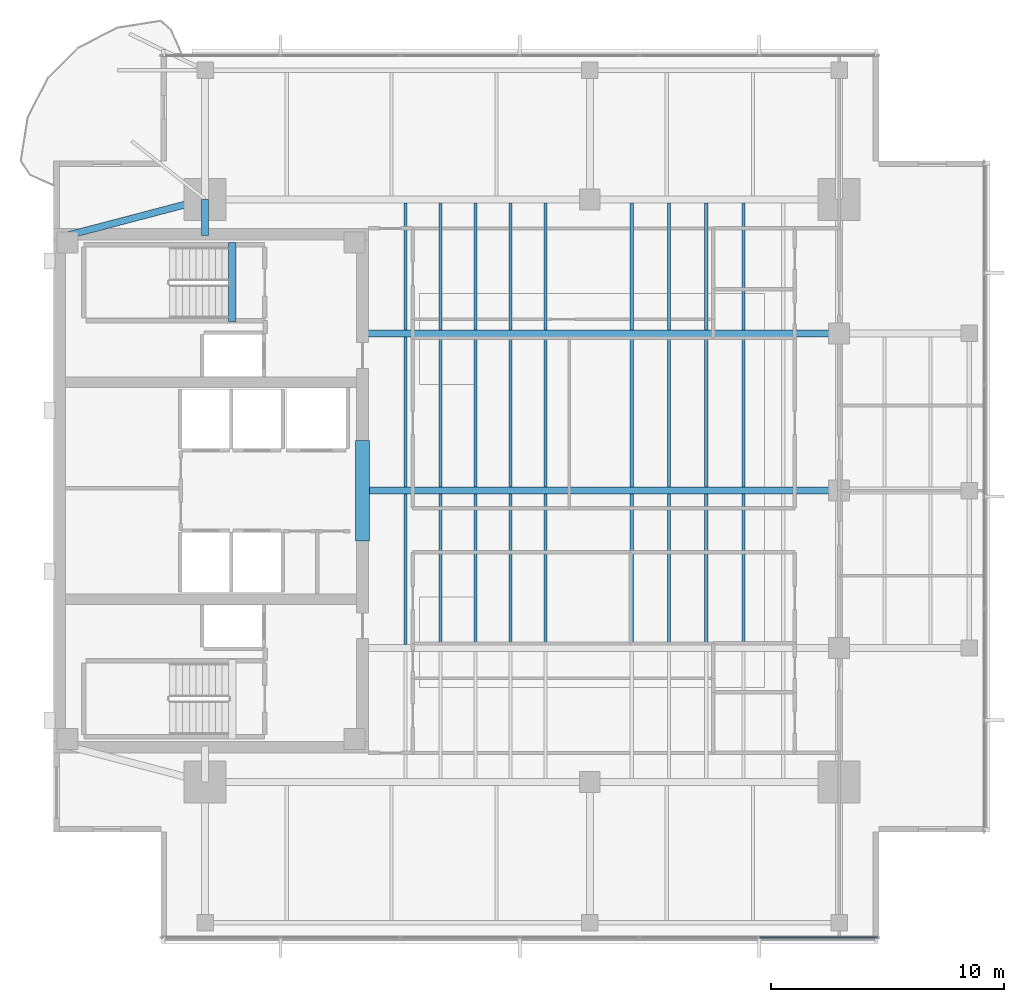
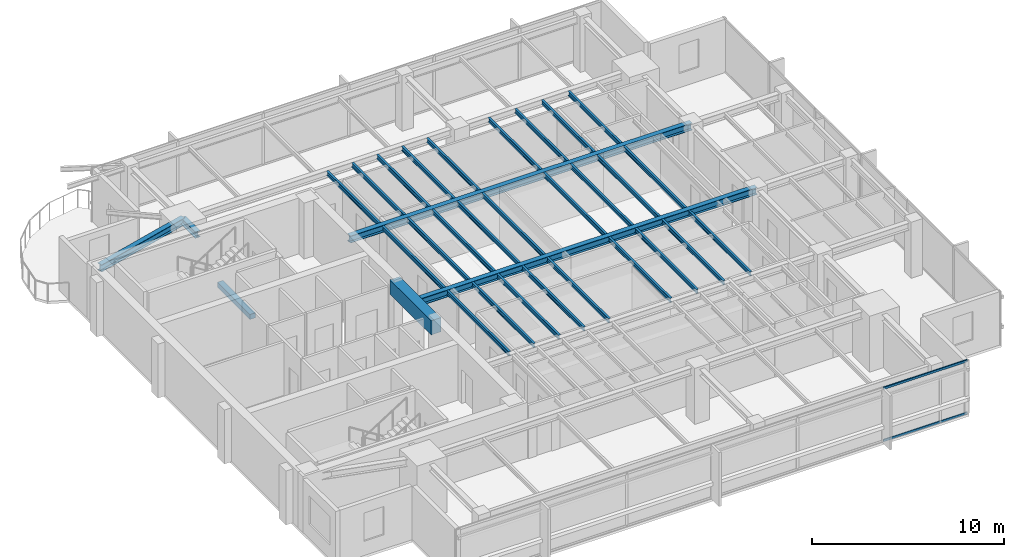
# One storey, part 3 of 14: 33 beams, 2 members, 1 element without a shape of its own.
"""IFC4 building model written with IfcOpenShell, lengths in metres."""

from ifc_helpers import new_model, si_unit, direction, frame, origin, origin_2d, place, context, subcontext, project, spatial, rectangle, i_section, extrude, material, layer, layer_set, material_profile, profile_set, type_object, element, aggregate, save


model = new_model("IFC4")

# Units and contexts
model_context = context("Model", 3, precision=1e-05, world=origin(), true_north=direction((0.0, 1.0)))
body_context = subcontext(model_context, "Body", "Model", "MODEL_VIEW")
ifc_project = project(units=[si_unit("LENGTHUNIT", "METRE"), si_unit("AREAUNIT", "SQUARE_METRE"), si_unit("VOLUMEUNIT", "CUBIC_METRE"), si_unit("PLANEANGLEUNIT", "RADIAN"), si_unit("MASSUNIT", "GRAM", prefix="KILO")], contexts=[model_context])

# Site, building, storey
site_placement = place(None, origin())
site = spatial("IfcSite", under=ifc_project, at=site_placement, CompositionType="ELEMENT")
building_placement = place(site_placement, origin())
building = spatial("IfcBuilding", under=site, at=building_placement, Name="Kinhvarn Gate Tower", CompositionType="ELEMENT")
storey_placement = place(building_placement, frame((0.0, 0.0, 249.25)))
storey = spatial("IfcBuildingStorey", under=building, at=storey_placement, Name="L66", CompositionType="ELEMENT", Elevation=249.25)

# Beams
ifc_material_1 = material(Name="Concrete C60/75", Category="concrete")
ifc_material_profile_1 = material_profile(ifc_material_1, rectangle(XDim=0.60009765625, YDim=0.89990234375, at=origin_2d()), Name="RC 600x900")
ifc_profile_set_1 = profile_set([ifc_material_profile_1], Name="Concrete C60/75")
beam_type_1 = type_object("IfcBeamType", Name="BM-CB-900", PredefinedType="LINTEL", material=ifc_profile_set_1)
beam_1_placement = place(storey_placement, frame((17.75, 23.10009765625, 2.93994140625), z_axis=(0.0, 1.0, 0.0), x_axis=(-1.0, 0.0, 0.0)))
element("IfcBeam", 1, at=beam_1_placement, inside=storey, type_object=beam_type_1, Name="Core East Portal Coupling Beam L66", PredefinedType="LINTEL", context=body_context, shape_type="SweptSolid", body=[
    extrude(rectangle(XDim=0.60009765625, YDim=0.89990234375, at=origin_2d()), origin(), (0.0, 0.0, 1.0), 4.2998046875),
])
ifc_material_2 = material(Name="Concrete C50/60", Category="concrete")
ifc_material_profile_2 = material_profile(ifc_material_2, rectangle(XDim=0.340087890625, YDim=0.320068359375, at=origin_2d()), Name="RC 340x320")
ifc_profile_set_2 = profile_set([ifc_material_profile_2], Name="Concrete C50/60")
beam_type_2 = type_object("IfcBeamType", Name="BM-LND-500", PredefinedType="BEAM", material=ifc_profile_set_2)
beam_2_placement = place(storey_placement, frame((12.1650390625, 32.5, -0.159912109375), z_axis=(0.0, 1.0, 0.0), x_axis=(-1.0, 0.0, 0.0)))
element("IfcBeam", 2, at=beam_2_placement, inside=storey, type_object=beam_type_2, Name="Stair ST2 Landing Nosing Beam (L66)", PredefinedType="BEAM", context=body_context, shape_type="SweptSolid", body=[
    extrude(rectangle(XDim=0.340087890625, YDim=0.320068359375, at=origin_2d()), origin(), (0.0, 0.0, 1.0), 3.39990234375),
])

# Curtain wall, members
ifc_material_3 = material(Name="Anodised aluminium AW-6063", Category="aluminium")
ifc_layer = layer(ifc_material_3, 0.179931640625)
ifc_layer_set = layer_set([ifc_layer], Name="Anodised aluminium AW-6063")
curtain_wall_type = type_object("IfcCurtainWallType", Name="CW-SYS-3", PredefinedType="NOTDEFINED", material=ifc_layer_set)
curtain_wall_placement = place(storey_placement, origin())
curtain_wall = element("IfcCurtainWall", 3, at=curtain_wall_placement, inside=storey, type_object=curtain_wall_type, Name="Curtain Wall CW3 (L66)", PredefinedType="NOTDEFINED")
ifc_material_profile_3 = material_profile(ifc_material_3, rectangle(XDim=0.070068359375, YDim=0.139892578125, at=origin_2d()), Name="ALU 70x140")
ifc_profile_set_3 = profile_set([ifc_material_profile_3], Name="Anodised aluminium AW-6063")
member_type = type_object("IfcMemberType", Name="CW-TRN-140", PredefinedType="USERDEFINED", material=ifc_profile_set_3)
member_1_placement = place(storey_placement, frame((34.799072265625, 6.090087890625, 0.034912109375), z_axis=(1.0, 0.0, 0.0), x_axis=(0.0, 1.0, 0.0)))
member_1 = element("IfcMember", 4, at=member_1_placement, type_object=member_type, Name="CW3 transom 6.1", ObjectType="TRANSOM", PredefinedType="USERDEFINED", context=body_context, shape_type="SweptSolid", body=[
    extrude(rectangle(XDim=0.070068359375, YDim=0.139892578125, at=origin_2d()), origin(), (0.0, 0.0, 1.0), 5.035888671875),
])
member_2_placement = place(storey_placement, frame((34.799072265625, 6.090087890625, 3.35498046875), z_axis=(1.0, 0.0, 0.0), x_axis=(0.0, 1.0, 0.0)))
member_2 = element("IfcMember", 5, at=member_2_placement, type_object=member_type, Name="CW3 transom 6.2", ObjectType="TRANSOM", PredefinedType="USERDEFINED", context=body_context, shape_type="SweptSolid", body=[
    extrude(rectangle(XDim=0.070068359375, YDim=0.139892578125, at=origin_2d()), origin(), (0.0, 0.0, 1.0), 5.035888671875),
])
aggregate(curtain_wall, [member_1, member_2])

# Beams
ifc_material_4 = material(Name="Steel S355", Category="steel")
ifc_material_profile_4 = material_profile(ifc_material_4, i_section(OverallWidth=0.300048828125, OverallDepth=0.39990234375, WebThickness=0.013427734375, FlangeThickness=0.02392578125, at=origin_2d()), Name="HEB 400")
ifc_profile_set_4 = profile_set([ifc_material_profile_4], Name="Steel S355")
beam_type_3 = type_object("IfcBeamType", Name="STL-HEB400", PredefinedType="BEAM", material=ifc_profile_set_4)
beam_3_placement = place(storey_placement, frame((11.0, 36.199951171875, 3.18994140625), z_axis=(0.0, 1.0, 0.0), x_axis=(-1.0, 0.0, 0.0)))
element("IfcBeam", 6, at=beam_3_placement, inside=storey, type_object=beam_type_3, Name="Floor Beam PG-12 (L66 MCW-CN)", PredefinedType="BEAM", context=body_context, shape_type="SweptSolid", body=[
    extrude(i_section(OverallWidth=0.300048828125, OverallDepth=0.39990234375, WebThickness=0.013427734375, FlangeThickness=0.02392578125, at=origin_2d()), origin(), (0.0, 0.0, 1.0), 1.550048828125),
])
ifc_material_profile_5 = material_profile(ifc_material_4, i_section(OverallWidth=0.300048828125, OverallDepth=0.449951171875, WebThickness=0.013916015625, FlangeThickness=0.02587890625, at=origin_2d()), Name="HEB 450")
ifc_profile_set_5 = profile_set([ifc_material_profile_5], Name="Steel S355")
beam_type_4 = type_object("IfcBeamType", Name="STL-HEB450", PredefinedType="BEAM", material=ifc_profile_set_5)
beam_4_placement = place(storey_placement, frame((5.10009765625, 36.199951171875, 3.1650390625), z_axis=(0.967177623957, 0.254101246979, 0.0), x_axis=(-0.254101246979, 0.967177623957, 0.0)))
element("IfcBeam", 7, at=beam_4_placement, inside=storey, type_object=beam_type_4, Name="Floor Beam PG-13 (L66 MG-NW-DIAG)", PredefinedType="BEAM", context=body_context, shape_type="SweptSolid", body=[
    extrude(i_section(OverallWidth=0.300048828125, OverallDepth=0.449951171875, WebThickness=0.013916015625, FlangeThickness=0.02587890625, at=origin_2d()), origin(), (0.0, 0.0, 1.0), 6.10009765625),
])
beam_5_placement = place(storey_placement, frame((18.050048828125, 25.25, 3.1650390625), z_axis=(1.0, 0.0, 0.0), x_axis=(0.0, 1.0, 0.0)))
element("IfcBeam", 8, at=beam_5_placement, inside=storey, type_object=beam_type_4, Name="Floor Beam PG-13 (L66 EW1-Y25)", PredefinedType="BEAM", context=body_context, shape_type="SweptSolid", body=[
    extrude(i_section(OverallWidth=0.300048828125, OverallDepth=0.449951171875, WebThickness=0.013916015625, FlangeThickness=0.02587890625, at=origin_2d()), origin(), (0.0, 0.0, 1.0), 20.14990234375),
])
beam_6_placement = place(storey_placement, frame((17.64990234375, 32.0, 3.1650390625), z_axis=(1.0, 0.0, 0.0), x_axis=(0.0, 1.0, 0.0)))
element("IfcBeam", 9, at=beam_6_placement, inside=storey, type_object=beam_type_4, Name="Floor Beam PG-13 (L66 EW1-Y32)", PredefinedType="BEAM", context=body_context, shape_type="SweptSolid", body=[
    extrude(i_section(OverallWidth=0.300048828125, OverallDepth=0.449951171875, WebThickness=0.013916015625, FlangeThickness=0.02587890625, at=origin_2d()), origin(), (0.0, 0.0, 1.0), 20.550048828125),
])
ifc_material_profile_6 = material_profile(ifc_material_4, i_section(OverallWidth=0.135009765625, OverallDepth=0.27001953125, WebThickness=0.006591796875, FlangeThickness=0.01025390625, at=origin_2d()), Name="IPE 270")
ifc_profile_set_6 = profile_set([ifc_material_profile_6], Name="Steel S355")
beam_type_5 = type_object("IfcBeamType", Name="STL-IPE270", PredefinedType="JOIST", material=ifc_profile_set_6)
for number, where, z_axis, x_axis, name in (
    (10, (19.60009765625, 18.64990234375, 3.2548828125), (0.0, 1.0, 0.0), (-1.0, 0.0, 0.0), "Floor Joist SB-01 (L66 JC-X196-1)"),
    (11, (19.60009765625, 25.39990234375, 3.2548828125), (0.0, 1.0, 0.0), (-1.0, 0.0, 0.0), "Floor Joist SB-01 (L66 JC-X196-2)"),
):
    element("IfcBeam", number, at=place(storey_placement, frame(where, z_axis=z_axis, x_axis=x_axis)), inside=storey, type_object=beam_type_5, Name=name, PredefinedType="JOIST", context=body_context, shape_type="SweptSolid", body=[
        extrude(i_section(OverallWidth=0.135009765625, OverallDepth=0.27001953125, WebThickness=0.006591796875, FlangeThickness=0.01025390625, at=origin_2d()), origin(), (0.0, 0.0, 1.0), 6.4501953125),
    ])
beam_7_placement = place(storey_placement, frame((19.60009765625, 32.14990234375, 3.2548828125), z_axis=(0.0, 1.0, 0.0), x_axis=(-1.0, 0.0, 0.0)))
element("IfcBeam", 12, at=beam_7_placement, inside=storey, type_object=beam_type_5, Name="Floor Joist SB-01 (L66 JC-X196-3)", PredefinedType="JOIST", context=body_context, shape_type="SweptSolid", body=[
    extrude(i_section(OverallWidth=0.135009765625, OverallDepth=0.27001953125, WebThickness=0.006591796875, FlangeThickness=0.01025390625, at=origin_2d()), origin(), (0.0, 0.0, 1.0), 5.4501953125),
])
for number, where, z_axis, x_axis, name in (
    (13, (21.10009765625, 18.64990234375, 3.2548828125), (0.0, 1.0, 0.0), (-1.0, 0.0, 0.0), "Floor Joist SB-01 (L66 JC-X211-1)"),
    (14, (21.10009765625, 25.39990234375, 3.2548828125), (0.0, 1.0, 0.0), (-1.0, 0.0, 0.0), "Floor Joist SB-01 (L66 JC-X211-2)"),
):
    element("IfcBeam", number, at=place(storey_placement, frame(where, z_axis=z_axis, x_axis=x_axis)), inside=storey, type_object=beam_type_5, Name=name, PredefinedType="JOIST", context=body_context, shape_type="SweptSolid", body=[
        extrude(i_section(OverallWidth=0.135009765625, OverallDepth=0.27001953125, WebThickness=0.006591796875, FlangeThickness=0.01025390625, at=origin_2d()), origin(), (0.0, 0.0, 1.0), 6.4501953125),
    ])
beam_8_placement = place(storey_placement, frame((21.10009765625, 32.14990234375, 3.2548828125), z_axis=(0.0, 1.0, 0.0), x_axis=(-1.0, 0.0, 0.0)))
element("IfcBeam", 15, at=beam_8_placement, inside=storey, type_object=beam_type_5, Name="Floor Joist SB-01 (L66 JC-X211-3)", PredefinedType="JOIST", context=body_context, shape_type="SweptSolid", body=[
    extrude(i_section(OverallWidth=0.135009765625, OverallDepth=0.27001953125, WebThickness=0.006591796875, FlangeThickness=0.01025390625, at=origin_2d()), origin(), (0.0, 0.0, 1.0), 5.4501953125),
])
for number, where, z_axis, x_axis, name in (
    (16, (22.60009765625, 18.64990234375, 3.2548828125), (0.0, 1.0, 0.0), (-1.0, 0.0, 0.0), "Floor Joist SB-01 (L66 JC-X226-1)"),
    (17, (22.60009765625, 25.39990234375, 3.2548828125), (0.0, 1.0, 0.0), (-1.0, 0.0, 0.0), "Floor Joist SB-01 (L66 JC-X226-2)"),
):
    element("IfcBeam", number, at=place(storey_placement, frame(where, z_axis=z_axis, x_axis=x_axis)), inside=storey, type_object=beam_type_5, Name=name, PredefinedType="JOIST", context=body_context, shape_type="SweptSolid", body=[
        extrude(i_section(OverallWidth=0.135009765625, OverallDepth=0.27001953125, WebThickness=0.006591796875, FlangeThickness=0.01025390625, at=origin_2d()), origin(), (0.0, 0.0, 1.0), 6.4501953125),
    ])
beam_9_placement = place(storey_placement, frame((22.60009765625, 32.14990234375, 3.2548828125), z_axis=(0.0, 1.0, 0.0), x_axis=(-1.0, 0.0, 0.0)))
element("IfcBeam", 18, at=beam_9_placement, inside=storey, type_object=beam_type_5, Name="Floor Joist SB-01 (L66 JC-X226-3)", PredefinedType="JOIST", context=body_context, shape_type="SweptSolid", body=[
    extrude(i_section(OverallWidth=0.135009765625, OverallDepth=0.27001953125, WebThickness=0.006591796875, FlangeThickness=0.01025390625, at=origin_2d()), origin(), (0.0, 0.0, 1.0), 5.4501953125),
])
for number, where, z_axis, x_axis, name in (
    (19, (24.10009765625, 18.64990234375, 3.2548828125), (0.0, 1.0, 0.0), (-1.0, 0.0, 0.0), "Floor Joist SB-01 (L66 JC-X241-1)"),
    (20, (24.10009765625, 25.39990234375, 3.2548828125), (0.0, 1.0, 0.0), (-1.0, 0.0, 0.0), "Floor Joist SB-01 (L66 JC-X241-2)"),
):
    element("IfcBeam", number, at=place(storey_placement, frame(where, z_axis=z_axis, x_axis=x_axis)), inside=storey, type_object=beam_type_5, Name=name, PredefinedType="JOIST", context=body_context, shape_type="SweptSolid", body=[
        extrude(i_section(OverallWidth=0.135009765625, OverallDepth=0.27001953125, WebThickness=0.006591796875, FlangeThickness=0.01025390625, at=origin_2d()), origin(), (0.0, 0.0, 1.0), 6.4501953125),
    ])
beam_10_placement = place(storey_placement, frame((24.10009765625, 32.14990234375, 3.2548828125), z_axis=(0.0, 1.0, 0.0), x_axis=(-1.0, 0.0, 0.0)))
element("IfcBeam", 21, at=beam_10_placement, inside=storey, type_object=beam_type_5, Name="Floor Joist SB-01 (L66 JC-X241-3)", PredefinedType="JOIST", context=body_context, shape_type="SweptSolid", body=[
    extrude(i_section(OverallWidth=0.135009765625, OverallDepth=0.27001953125, WebThickness=0.006591796875, FlangeThickness=0.01025390625, at=origin_2d()), origin(), (0.0, 0.0, 1.0), 5.4501953125),
])
for number, where, z_axis, x_axis, name in (
    (22, (25.60009765625, 18.64990234375, 3.2548828125), (0.0, 1.0, 0.0), (-1.0, 0.0, 0.0), "Floor Joist SB-01 (L66 JC-X256-1)"),
    (23, (25.60009765625, 25.39990234375, 3.2548828125), (0.0, 1.0, 0.0), (-1.0, 0.0, 0.0), "Floor Joist SB-01 (L66 JC-X256-2)"),
):
    element("IfcBeam", number, at=place(storey_placement, frame(where, z_axis=z_axis, x_axis=x_axis)), inside=storey, type_object=beam_type_5, Name=name, PredefinedType="JOIST", context=body_context, shape_type="SweptSolid", body=[
        extrude(i_section(OverallWidth=0.135009765625, OverallDepth=0.27001953125, WebThickness=0.006591796875, FlangeThickness=0.01025390625, at=origin_2d()), origin(), (0.0, 0.0, 1.0), 6.4501953125),
    ])
beam_11_placement = place(storey_placement, frame((25.60009765625, 32.14990234375, 3.2548828125), z_axis=(0.0, 1.0, 0.0), x_axis=(-1.0, 0.0, 0.0)))
element("IfcBeam", 24, at=beam_11_placement, inside=storey, type_object=beam_type_5, Name="Floor Joist SB-01 (L66 JC-X256-3)", PredefinedType="JOIST", context=body_context, shape_type="SweptSolid", body=[
    extrude(i_section(OverallWidth=0.135009765625, OverallDepth=0.27001953125, WebThickness=0.006591796875, FlangeThickness=0.01025390625, at=origin_2d()), origin(), (0.0, 0.0, 1.0), 5.4501953125),
])
for number, where, z_axis, x_axis, name in (
    (25, (29.300048828125, 18.64990234375, 3.2548828125), (0.0, 1.0, 0.0), (-1.0, 0.0, 0.0), "Floor Joist SB-01 (L66 JC-X293-1)"),
    (26, (29.300048828125, 25.39990234375, 3.2548828125), (0.0, 1.0, 0.0), (-1.0, 0.0, 0.0), "Floor Joist SB-01 (L66 JC-X293-2)"),
):
    element("IfcBeam", number, at=place(storey_placement, frame(where, z_axis=z_axis, x_axis=x_axis)), inside=storey, type_object=beam_type_5, Name=name, PredefinedType="JOIST", context=body_context, shape_type="SweptSolid", body=[
        extrude(i_section(OverallWidth=0.135009765625, OverallDepth=0.27001953125, WebThickness=0.006591796875, FlangeThickness=0.01025390625, at=origin_2d()), origin(), (0.0, 0.0, 1.0), 6.4501953125),
    ])
beam_12_placement = place(storey_placement, frame((29.300048828125, 32.14990234375, 3.2548828125), z_axis=(0.0, 1.0, 0.0), x_axis=(-1.0, 0.0, 0.0)))
element("IfcBeam", 27, at=beam_12_placement, inside=storey, type_object=beam_type_5, Name="Floor Joist SB-01 (L66 JC-X293-3)", PredefinedType="JOIST", context=body_context, shape_type="SweptSolid", body=[
    extrude(i_section(OverallWidth=0.135009765625, OverallDepth=0.27001953125, WebThickness=0.006591796875, FlangeThickness=0.01025390625, at=origin_2d()), origin(), (0.0, 0.0, 1.0), 5.4501953125),
])
for number, where, z_axis, x_axis, name in (
    (28, (30.89990234375, 18.64990234375, 3.2548828125), (0.0, 1.0, 0.0), (-1.0, 0.0, 0.0), "Floor Joist SB-01 (L66 JC-X309-1)"),
    (29, (30.89990234375, 25.39990234375, 3.2548828125), (0.0, 1.0, 0.0), (-1.0, 0.0, 0.0), "Floor Joist SB-01 (L66 JC-X309-2)"),
):
    element("IfcBeam", number, at=place(storey_placement, frame(where, z_axis=z_axis, x_axis=x_axis)), inside=storey, type_object=beam_type_5, Name=name, PredefinedType="JOIST", context=body_context, shape_type="SweptSolid", body=[
        extrude(i_section(OverallWidth=0.135009765625, OverallDepth=0.27001953125, WebThickness=0.006591796875, FlangeThickness=0.01025390625, at=origin_2d()), origin(), (0.0, 0.0, 1.0), 6.4501953125),
    ])
beam_13_placement = place(storey_placement, frame((30.89990234375, 32.14990234375, 3.2548828125), z_axis=(0.0, 1.0, 0.0), x_axis=(-1.0, 0.0, 0.0)))
element("IfcBeam", 30, at=beam_13_placement, inside=storey, type_object=beam_type_5, Name="Floor Joist SB-01 (L66 JC-X309-3)", PredefinedType="JOIST", context=body_context, shape_type="SweptSolid", body=[
    extrude(i_section(OverallWidth=0.135009765625, OverallDepth=0.27001953125, WebThickness=0.006591796875, FlangeThickness=0.01025390625, at=origin_2d()), origin(), (0.0, 0.0, 1.0), 5.4501953125),
])
for number, where, z_axis, x_axis, name in (
    (31, (32.5, 18.64990234375, 3.2548828125), (0.0, 1.0, 0.0), (-1.0, 0.0, 0.0), "Floor Joist SB-01 (L66 JC-X325-1)"),
    (32, (32.5, 25.39990234375, 3.2548828125), (0.0, 1.0, 0.0), (-1.0, 0.0, 0.0), "Floor Joist SB-01 (L66 JC-X325-2)"),
):
    element("IfcBeam", number, at=place(storey_placement, frame(where, z_axis=z_axis, x_axis=x_axis)), inside=storey, type_object=beam_type_5, Name=name, PredefinedType="JOIST", context=body_context, shape_type="SweptSolid", body=[
        extrude(i_section(OverallWidth=0.135009765625, OverallDepth=0.27001953125, WebThickness=0.006591796875, FlangeThickness=0.01025390625, at=origin_2d()), origin(), (0.0, 0.0, 1.0), 6.4501953125),
    ])
beam_14_placement = place(storey_placement, frame((32.5, 32.14990234375, 3.2548828125), z_axis=(0.0, 1.0, 0.0), x_axis=(-1.0, 0.0, 0.0)))
element("IfcBeam", 33, at=beam_14_placement, inside=storey, type_object=beam_type_5, Name="Floor Joist SB-01 (L66 JC-X325-3)", PredefinedType="JOIST", context=body_context, shape_type="SweptSolid", body=[
    extrude(i_section(OverallWidth=0.135009765625, OverallDepth=0.27001953125, WebThickness=0.006591796875, FlangeThickness=0.01025390625, at=origin_2d()), origin(), (0.0, 0.0, 1.0), 5.4501953125),
])
for number, where, z_axis, x_axis, name in (
    (34, (34.10009765625, 18.64990234375, 3.2548828125), (0.0, 1.0, 0.0), (-1.0, 0.0, 0.0), "Floor Joist SB-01 (L66 JC-X341-1)"),
    (35, (34.10009765625, 25.39990234375, 3.2548828125), (0.0, 1.0, 0.0), (-1.0, 0.0, 0.0), "Floor Joist SB-01 (L66 JC-X341-2)"),
):
    element("IfcBeam", number, at=place(storey_placement, frame(where, z_axis=z_axis, x_axis=x_axis)), inside=storey, type_object=beam_type_5, Name=name, PredefinedType="JOIST", context=body_context, shape_type="SweptSolid", body=[
        extrude(i_section(OverallWidth=0.135009765625, OverallDepth=0.27001953125, WebThickness=0.006591796875, FlangeThickness=0.01025390625, at=origin_2d()), origin(), (0.0, 0.0, 1.0), 6.4501953125),
    ])
beam_15_placement = place(storey_placement, frame((34.10009765625, 32.14990234375, 3.2548828125), z_axis=(0.0, 1.0, 0.0), x_axis=(-1.0, 0.0, 0.0)))
element("IfcBeam", 36, at=beam_15_placement, inside=storey, type_object=beam_type_5, Name="Floor Joist SB-01 (L66 JC-X341-3)", PredefinedType="JOIST", context=body_context, shape_type="SweptSolid", body=[
    extrude(i_section(OverallWidth=0.135009765625, OverallDepth=0.27001953125, WebThickness=0.006591796875, FlangeThickness=0.01025390625, at=origin_2d()), origin(), (0.0, 0.0, 1.0), 5.4501953125),
])

save(model, "model.ifc")
